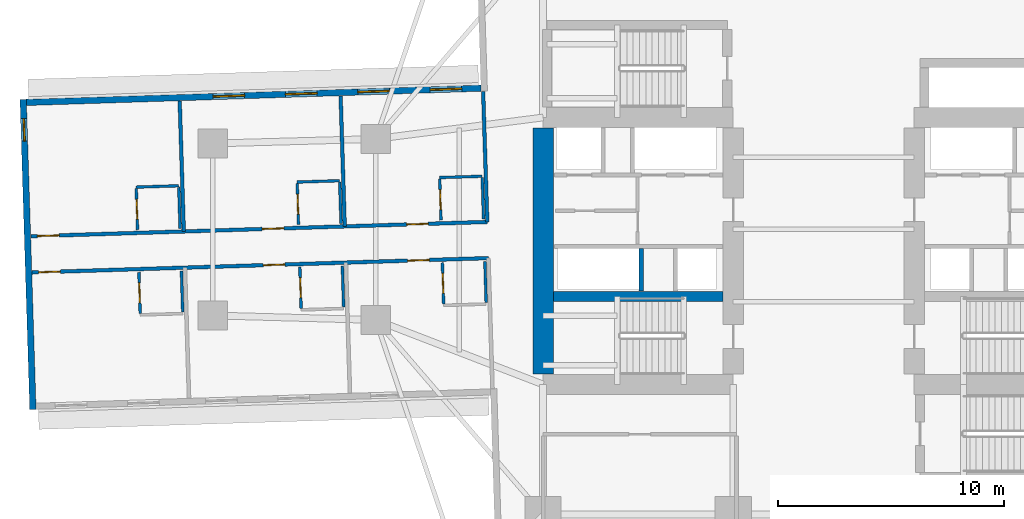
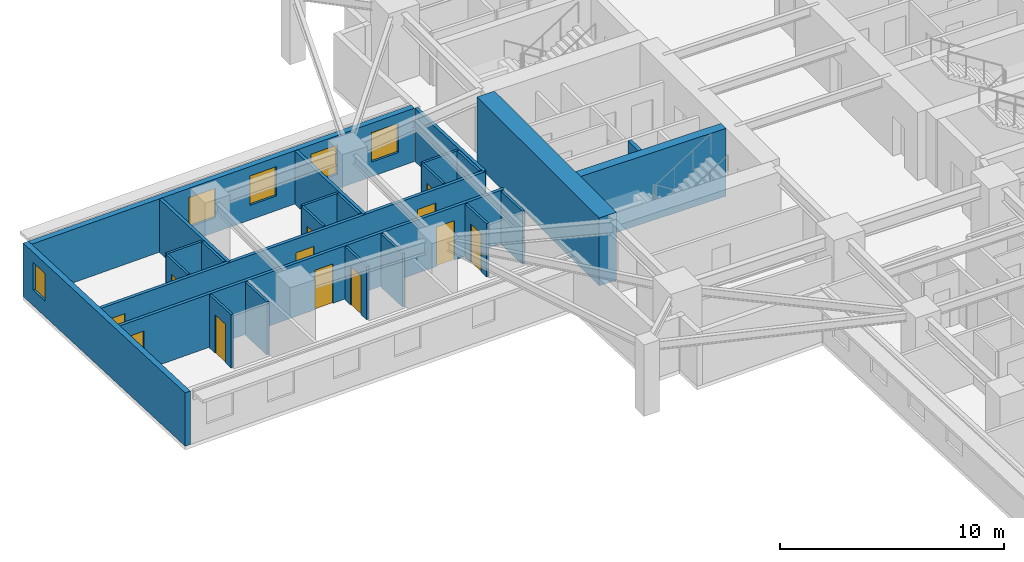
# One storey, part 5 of 15: 25 walls, 12 doors, 5 windows, 17 openings.
"""IFC4 building model written with IfcOpenShell, lengths in metres."""

from ifc_helpers import new_model, si_unit, direction, frame, frame_2d, origin, place, context, subcontext, project, spatial, rectangle, extrude, material, layer, layer_set, type_object, element, fill, save


model = new_model("IFC4")

# Units and contexts
model_context = context("Model", 3, precision=1e-05, world=origin(), true_north=direction((0.0, 1.0)))
body_context = subcontext(model_context, "Body", "Model", "MODEL_VIEW")
ifc_project = project(units=[si_unit("LENGTHUNIT", "METRE"), si_unit("AREAUNIT", "SQUARE_METRE"), si_unit("VOLUMEUNIT", "CUBIC_METRE"), si_unit("PLANEANGLEUNIT", "RADIAN"), si_unit("MASSUNIT", "GRAM", prefix="KILO")], contexts=[model_context])

# Site, building, storey
site_placement = place(None, origin())
site = spatial("IfcSite", under=ifc_project, at=site_placement, CompositionType="ELEMENT")
building_placement = place(site_placement, origin())
building = spatial("IfcBuilding", under=site, at=building_placement, Name="Qingluan Cross Belvedere", CompositionType="ELEMENT")
storey_placement = place(building_placement, frame((0.0, 0.0, 31.5)))
storey = spatial("IfcBuildingStorey", under=building, at=storey_placement, Name="L08", CompositionType="ELEMENT", Elevation=31.5)

# Walls
ifc_material_1 = material(Name="Concrete C50", Category="concrete")
ifc_layer_1 = layer(ifc_material_1, 0.449951171875, Name="CoreShearWall_450")
ifc_layer_set_1 = layer_set([ifc_layer_1], Name="Concrete C50")
wall_type_1 = type_object("IfcWallType", Name="CoreShearWall_450", PredefinedType="SHEAR", material=ifc_layer_set_1)
wall_1_placement = place(storey_placement, frame((-11.945068359375, -2.9599609375, 0.0), z_axis=(0.0, 0.0, 1.0), x_axis=(1.0, 0.0, 0.0)))
element("IfcWall", 1, at=wall_1_placement, inside=storey, type_object=wall_type_1, Name="Split core W shear wall L08-M", PredefinedType="SHEAR", context=body_context, shape_type="SweptSolid", body=[
    extrude(rectangle(XDim=7.489990234375, YDim=0.449951171875, at=frame_2d((3.7451171875, 0.0))), origin(), (0.0, 0.0, 1.0), 3.699951171875),
])
ifc_material_2 = material(Name="Concrete C70", Category="concrete")
ifc_layer_2 = layer(ifc_material_2, 0.89990234375, Name="CoreShearWall_900")
ifc_layer_set_2 = layer_set([ifc_layer_2], Name="Concrete C70")
wall_type_2 = type_object("IfcWallType", Name="CoreShearWall_900", PredefinedType="SHEAR", material=ifc_layer_set_2)
wall_2_placement = place(storey_placement, frame((-12.39990234375, -6.39501953125, 0.0), z_axis=(0.0, 0.0, 1.0), x_axis=(0.0, 1.0, 0.0)))
element("IfcWall", 2, at=wall_2_placement, inside=storey, type_object=wall_type_2, Name="Split core W shear wall L08-W", PredefinedType="SHEAR", context=body_context, shape_type="SweptSolid", body=[
    extrude(rectangle(XDim=10.89013671875, YDim=0.89990234375, at=frame_2d((5.445068359375, 0.0))), origin(), (0.0, 0.0, 1.0), 3.699951171875),
])

# Wall, openings, doors
ifc_material_3 = material(Name="Gypsum plasterboard on steel stud acoustic partition", Category="steel")
ifc_layer_3 = layer(ifc_material_3, 0.159912109375, Name="CorridorPartition_160")
ifc_layer_set_3 = layer_set([ifc_layer_3], Name="Gypsum plasterboard on steel stud acoustic partition")
wall_type_3 = type_object("IfcWallType", Name="CorridorPartition_160", PredefinedType="PARTITIONING", material=ifc_layer_set_3)
wall_3_placement = place(storey_placement, frame((-14.867919921875, 0.333251953125, 0.0), z_axis=(0.0, 0.0, 1.0), x_axis=(-0.99950639469, -0.031416030536, 0.0)))
wall_3 = element("IfcWall", 3, at=wall_3_placement, inside=storey, type_object=wall_type_3, Name="Partition L08:W:c0", PredefinedType="PARTITIONING", context=body_context, shape_type="SweptSolid", body=[
    extrude(rectangle(XDim=20.181884765625, YDim=0.159912109375, at=frame_2d((10.0908203125, 0.0))), origin(), (0.0, 0.0, 1.0), 2.89990234375),
])
opening_1_placement = place(wall_3_placement, frame((2.610107421875, 0.0, 0.0)))
opening_1 = element("IfcOpeningElement", 4, at=opening_1_placement, cuts=wall_3, Name="Opening GD-10", PredefinedType="OPENING", context=body_context, shape_type="SweptSolid", body=[
    extrude(rectangle(XDim=0.9599609375, YDim=2.14990234375, at=frame_2d((0.47998046875, 1.074951171875))), frame((0.0, 0.08984375, 0.0), z_axis=(0.0, -1.0, 0.0), x_axis=(1.0, 0.0, 0.0)), (0.0, 0.0, 1.0), 0.179931640625),
])
opening_2_placement = place(wall_3_placement, frame((8.993896484375, 0.0, 0.0)))
opening_2 = element("IfcOpeningElement", 5, at=opening_2_placement, cuts=wall_3, Name="Opening GD-10", PredefinedType="OPENING", context=body_context, shape_type="SweptSolid", body=[
    extrude(rectangle(XDim=0.9599609375, YDim=2.14990234375, at=frame_2d((0.47998046875, 1.074951171875))), frame((0.0, 0.08984375, 0.0), z_axis=(0.0, -1.0, 0.0), x_axis=(1.0, 0.0, 0.0)), (0.0, 0.0, 1.0), 0.179931640625),
])
opening_3_placement = place(wall_3_placement, frame((18.929931640625, 0.0, 0.0)))
opening_3 = element("IfcOpeningElement", 6, at=opening_3_placement, cuts=wall_3, Name="Opening GD-10", PredefinedType="OPENING", context=body_context, shape_type="SweptSolid", body=[
    extrude(rectangle(XDim=0.9599609375, YDim=2.14990234375, at=frame_2d((0.47998046875, 1.074951171875))), frame((0.0, 0.08984375, 0.0), z_axis=(0.0, -1.0, 0.0), x_axis=(1.0, 0.0, 0.0)), (0.0, 0.0, 1.0), 0.179931640625),
])
ifc_material_4 = material(Name="Timber oak fire-rated acoustic guestroom door", Category="wood")
door_type_1 = type_object("IfcDoorType", Name="GuestEntryDoor_FD60", OperationType="NOTDEFINED", PredefinedType="DOOR", material=ifc_material_4)
door_1_placement = place(opening_1_placement, origin())
door_1 = element("IfcDoor", 7, at=door_1_placement, inside=storey, type_object=door_type_1, Name="Guest entry fire door 0807", OperationType="SINGLE_SWING_LEFT", OverallHeight=2.14990234375, OverallWidth=0.9599609375, PredefinedType="DOOR", context=body_context, shape_type="SweptSolid", body=[
    extrude(rectangle(XDim=0.9599609375, YDim=2.14990234375, at=frame_2d((0.47998046875, 1.074951171875))), frame((0.0, 0.02490234375, 0.0), z_axis=(0.0, -1.0, 0.0), x_axis=(1.0, 0.0, 0.0)), (0.0, 0.0, 1.0), 0.050048828125),
])
fill(opening_1, door_1)
door_2_placement = place(opening_2_placement, origin())
door_2 = element("IfcDoor", 8, at=door_2_placement, inside=storey, type_object=door_type_1, Name="Guest entry fire door 0808", OperationType="SINGLE_SWING_LEFT", OverallHeight=2.14990234375, OverallWidth=0.9599609375, PredefinedType="DOOR", context=body_context, shape_type="SweptSolid", body=[
    extrude(rectangle(XDim=0.9599609375, YDim=2.14990234375, at=frame_2d((0.47998046875, 1.074951171875))), frame((0.0, 0.02490234375, 0.0), z_axis=(0.0, -1.0, 0.0), x_axis=(1.0, 0.0, 0.0)), (0.0, 0.0, 1.0), 0.050048828125),
])
fill(opening_2, door_2)
door_3_placement = place(opening_3_placement, origin())
door_3 = element("IfcDoor", 9, at=door_3_placement, inside=storey, type_object=door_type_1, Name="Guest entry fire door 0809", OperationType="SINGLE_SWING_LEFT", OverallHeight=2.14990234375, OverallWidth=0.9599609375, PredefinedType="DOOR", context=body_context, shape_type="SweptSolid", body=[
    extrude(rectangle(XDim=0.9599609375, YDim=2.14990234375, at=frame_2d((0.47998046875, 1.074951171875))), frame((0.0, 0.02490234375, 0.0), z_axis=(0.0, -1.0, 0.0), x_axis=(1.0, 0.0, 0.0)), (0.0, 0.0, 1.0), 0.050048828125),
])
fill(opening_3, door_3)

# Walls
for number, where, z_axis, x_axis, name in (
    (10, (-14.867919921875, 0.333251953125, 0.0), (0.0, 0.0, 1.0), (-0.031427548972, 0.999506032581, 0.0), "Partition L08:W:s0"),
    (11, (-21.166748046875, 0.13525390625, 0.0), (0.0, 0.0, 1.0), (-0.031385292484, 0.999507360361, 0.0), "Partition L08:W:d0_0"),
):
    element("IfcWall", number, at=place(storey_placement, frame(where, z_axis=z_axis, x_axis=x_axis)), inside=storey, type_object=wall_type_3, Name=name, PredefinedType="PARTITIONING", context=body_context, shape_type="SweptSolid", body=[
        extrude(rectangle(XDim=5.77197265625, YDim=0.159912109375, at=frame_2d((2.885986328125, 0.0))), origin(), (0.0, 0.0, 1.0), 2.89990234375),
    ])
wall_4_placement = place(storey_placement, frame((-28.279296875, -0.08837890625, 0.0), z_axis=(0.0, 0.0, 1.0), x_axis=(-0.031383965651, 0.999507402024, 0.0)))
element("IfcWall", 12, at=wall_4_placement, inside=storey, type_object=wall_type_3, Name="Partition L08:W:d0_1", PredefinedType="PARTITIONING", context=body_context, shape_type="SweptSolid", body=[
    extrude(rectangle(XDim=5.772216796875, YDim=0.159912109375, at=frame_2d((2.88623046875, 0.0))), origin(), (0.0, 0.0, 1.0), 2.89990234375),
])

# Wall, openings, doors
wall_5_placement = place(storey_placement, frame((-14.8173828125, -1.26611328125, 0.0), z_axis=(0.0, 0.0, 1.0), x_axis=(-0.9995067864, -0.031403565719, 0.0)))
wall_5 = element("IfcWall", 13, at=wall_5_placement, inside=storey, type_object=wall_type_3, Name="Partition L08:W:c1", PredefinedType="PARTITIONING", context=body_context, shape_type="SweptSolid", body=[
    extrude(rectangle(XDim=20.18212890625, YDim=0.159912109375, at=frame_2d((10.091064453125, 0.0))), origin(), (0.0, 0.0, 1.0), 2.89990234375),
])
opening_4_placement = place(wall_5_placement, frame((2.610107421875, 0.0, 0.0)))
opening_4 = element("IfcOpeningElement", 14, at=opening_4_placement, cuts=wall_5, Name="Opening GD-10", PredefinedType="OPENING", context=body_context, shape_type="SweptSolid", body=[
    extrude(rectangle(XDim=0.9599609375, YDim=2.14990234375, at=frame_2d((0.47998046875, 1.074951171875))), frame((0.0, 0.08984375, 0.0), z_axis=(0.0, -1.0, 0.0), x_axis=(1.0, 0.0, 0.0)), (0.0, 0.0, 1.0), 0.179931640625),
])
opening_5_placement = place(wall_5_placement, frame((8.993896484375, 0.0, 0.0)))
opening_5 = element("IfcOpeningElement", 15, at=opening_5_placement, cuts=wall_5, Name="Opening GD-10", PredefinedType="OPENING", context=body_context, shape_type="SweptSolid", body=[
    extrude(rectangle(XDim=0.9599609375, YDim=2.14990234375, at=frame_2d((0.47998046875, 1.074951171875))), frame((0.0, 0.08984375, 0.0), z_axis=(0.0, -1.0, 0.0), x_axis=(1.0, 0.0, 0.0)), (0.0, 0.0, 1.0), 0.179931640625),
])
opening_6_placement = place(wall_5_placement, frame((18.929931640625, 0.0, 0.0)))
opening_6 = element("IfcOpeningElement", 16, at=opening_6_placement, cuts=wall_5, Name="Opening GD-10", PredefinedType="OPENING", context=body_context, shape_type="SweptSolid", body=[
    extrude(rectangle(XDim=0.9599609375, YDim=2.14990234375, at=frame_2d((0.47998046875, 1.074951171875))), frame((0.0, 0.08984375, 0.0), z_axis=(0.0, -1.0, 0.0), x_axis=(1.0, 0.0, 0.0)), (0.0, 0.0, 1.0), 0.179931640625),
])
door_4_placement = place(opening_4_placement, origin())
door_4 = element("IfcDoor", 17, at=door_4_placement, inside=storey, type_object=door_type_1, Name="Guest entry fire door 0810", OperationType="SINGLE_SWING_LEFT", OverallHeight=2.14990234375, OverallWidth=0.9599609375, PredefinedType="DOOR", context=body_context, shape_type="SweptSolid", body=[
    extrude(rectangle(XDim=0.9599609375, YDim=2.14990234375, at=frame_2d((0.47998046875, 1.074951171875))), frame((0.0, 0.02490234375, 0.0), z_axis=(0.0, -1.0, 0.0), x_axis=(1.0, 0.0, 0.0)), (0.0, 0.0, 1.0), 0.050048828125),
])
fill(opening_4, door_4)
door_5_placement = place(opening_5_placement, origin())
door_5 = element("IfcDoor", 18, at=door_5_placement, inside=storey, type_object=door_type_1, Name="Guest entry fire door 0811", OperationType="SINGLE_SWING_LEFT", OverallHeight=2.14990234375, OverallWidth=0.9599609375, PredefinedType="DOOR", context=body_context, shape_type="SweptSolid", body=[
    extrude(rectangle(XDim=0.9599609375, YDim=2.14990234375, at=frame_2d((0.47998046875, 1.074951171875))), frame((0.0, 0.02490234375, 0.0), z_axis=(0.0, -1.0, 0.0), x_axis=(1.0, 0.0, 0.0)), (0.0, 0.0, 1.0), 0.050048828125),
])
fill(opening_5, door_5)
door_6_placement = place(opening_6_placement, origin())
door_6 = element("IfcDoor", 19, at=door_6_placement, inside=storey, type_object=door_type_1, Name="Guest entry fire door 0812", OperationType="SINGLE_SWING_LEFT", OverallHeight=2.14990234375, OverallWidth=0.9599609375, PredefinedType="DOOR", context=body_context, shape_type="SweptSolid", body=[
    extrude(rectangle(XDim=0.9599609375, YDim=2.14990234375, at=frame_2d((0.47998046875, 1.074951171875))), frame((0.0, 0.02490234375, 0.0), z_axis=(0.0, -1.0, 0.0), x_axis=(1.0, 0.0, 0.0)), (0.0, 0.0, 1.0), 0.050048828125),
])
fill(opening_6, door_6)

# Wall, opening, door
ifc_material_5 = material(Name="Moisture-resistant gypsum board lining")
ifc_layer_4 = layer(ifc_material_5, 0.1201171875, Name="EnsuiteWetPartition_120")
ifc_layer_set_4 = layer_set([ifc_layer_4], Name="Moisture-resistant gypsum board lining")
wall_type_4 = type_object("IfcWallType", Name="EnsuiteWetPartition_120", PredefinedType="PARTITIONING", material=ifc_layer_set_4)
wall_6_placement = place(storey_placement, frame((-16.9111328125, 0.408935546875, 0.0), z_axis=(0.0, 0.0, 1.0), x_axis=(-0.03152371574, 0.999503004171, 0.0)))
wall_6 = element("IfcWall", 20, at=wall_6_placement, inside=storey, type_object=wall_type_4, Name="Partition L08:W:bs0_0", PredefinedType="PARTITIONING", context=body_context, shape_type="SweptSolid", body=[
    extrude(rectangle(XDim=1.820068359375, YDim=0.1201171875, at=frame_2d((0.91015625, 0.0))), origin(), (0.0, 0.0, 1.0), 2.89990234375),
])
opening_7_placement = place(wall_6_placement, frame((0.469970703125, 0.0, 0.0)))
opening_7 = element("IfcOpeningElement", 21, at=opening_7_placement, cuts=wall_6, Name="Opening BD-09", PredefinedType="OPENING", context=body_context, shape_type="SweptSolid", body=[
    extrude(rectangle(XDim=0.8798828125, YDim=2.10009765625, at=frame_2d((0.43994140625, 1.050048828125))), frame((0.0, 0.070068359375, 0.0), z_axis=(0.0, -1.0, 0.0), x_axis=(1.0, 0.0, 0.0)), (0.0, 0.0, 1.0), 0.14013671875),
])
ifc_material_6 = material(Name="Moisture-sealed timber en-suite door", Category="wood")
door_type_2 = type_object("IfcDoorType", Name="BathroomDoor_880", OperationType="NOTDEFINED", PredefinedType="DOOR", material=ifc_material_6)
door_7_placement = place(opening_7_placement, origin())
door_7 = element("IfcDoor", 22, at=door_7_placement, inside=storey, type_object=door_type_2, Name="Bathroom door 0807", OperationType="SINGLE_SWING_RIGHT", OverallHeight=2.10009765625, OverallWidth=0.8798828125, PredefinedType="DOOR", context=body_context, shape_type="SweptSolid", body=[
    extrude(rectangle(XDim=0.8798828125, YDim=2.10009765625, at=frame_2d((0.43994140625, 1.050048828125))), frame((0.0, 0.02490234375, 0.0), z_axis=(0.0, -1.0, 0.0), x_axis=(1.0, 0.0, 0.0)), (0.0, 0.0, 1.0), 0.050048828125),
])
fill(opening_7, door_7)

# Walls
wall_7_placement = place(storey_placement, frame((-15.031982421875, 0.468017578125, 0.0), z_axis=(0.0, 0.0, 1.0), x_axis=(-0.03152371574, 0.999503004171, 0.0)))
element("IfcWall", 23, at=wall_7_placement, inside=storey, type_object=wall_type_4, Name="Partition L08:W:bw0_0", PredefinedType="PARTITIONING", context=body_context, shape_type="SweptSolid", body=[
    extrude(rectangle(XDim=1.820068359375, YDim=0.1201171875, at=frame_2d((0.91015625, 0.0))), origin(), (0.0, 0.0, 1.0), 2.89990234375),
])
wall_8_placement = place(storey_placement, frame((-15.09130859375, 2.35205078125, 0.0), z_axis=(0.0, 0.0, 1.0), x_axis=(-0.999510173889, -0.031295563454, 0.0)))
element("IfcWall", 24, at=wall_8_placement, inside=storey, type_object=wall_type_4, Name="Partition L08:W:bn0_0", PredefinedType="PARTITIONING", context=body_context, shape_type="SweptSolid", body=[
    extrude(rectangle(XDim=1.880126953125, YDim=0.1201171875, at=frame_2d((0.93994140625, 0.0))), origin(), (0.0, 0.0, 1.0), 2.89990234375),
])

# Wall, opening, door
wall_9_placement = place(storey_placement, frame((-23.210205078125, 0.211181640625, 0.0), z_axis=(0.0, 0.0, 1.0), x_axis=(-0.031255692016, 0.999511421504, 0.0)))
wall_9 = element("IfcWall", 25, at=wall_9_placement, inside=storey, type_object=wall_type_4, Name="Partition L08:W:bs0_1", PredefinedType="PARTITIONING", context=body_context, shape_type="SweptSolid", body=[
    extrude(rectangle(XDim=1.820068359375, YDim=0.1201171875, at=frame_2d((0.91015625, 0.0))), origin(), (0.0, 0.0, 1.0), 2.89990234375),
])
opening_8_placement = place(wall_9_placement, frame((0.469970703125, 0.0, 0.0)))
opening_8 = element("IfcOpeningElement", 26, at=opening_8_placement, cuts=wall_9, Name="Opening BD-09", PredefinedType="OPENING", context=body_context, shape_type="SweptSolid", body=[
    extrude(rectangle(XDim=0.8798828125, YDim=2.10009765625, at=frame_2d((0.43994140625, 1.050048828125))), frame((0.0, 0.070068359375, 0.0), z_axis=(0.0, -1.0, 0.0), x_axis=(1.0, 0.0, 0.0)), (0.0, 0.0, 1.0), 0.14013671875),
])
door_8_placement = place(opening_8_placement, origin())
door_8 = element("IfcDoor", 27, at=door_8_placement, inside=storey, type_object=door_type_2, Name="Bathroom door 0808", OperationType="SINGLE_SWING_RIGHT", OverallHeight=2.10009765625, OverallWidth=0.8798828125, PredefinedType="DOOR", context=body_context, shape_type="SweptSolid", body=[
    extrude(rectangle(XDim=0.8798828125, YDim=2.10009765625, at=frame_2d((0.43994140625, 1.050048828125))), frame((0.0, 0.02490234375, 0.0), z_axis=(0.0, -1.0, 0.0), x_axis=(1.0, 0.0, 0.0)), (0.0, 0.0, 1.0), 0.050048828125),
])
fill(opening_8, door_8)

# Walls
wall_10_placement = place(storey_placement, frame((-21.3310546875, 0.27001953125, 0.0), z_axis=(0.0, 0.0, 1.0), x_axis=(-0.031389704724, 0.999507221803, 0.0)))
element("IfcWall", 28, at=wall_10_placement, inside=storey, type_object=wall_type_4, Name="Partition L08:W:bw0_1", PredefinedType="PARTITIONING", context=body_context, shape_type="SweptSolid", body=[
    extrude(rectangle(XDim=1.820068359375, YDim=0.1201171875, at=frame_2d((0.91015625, 0.0))), origin(), (0.0, 0.0, 1.0), 2.89990234375),
])
wall_11_placement = place(storey_placement, frame((-21.39013671875, 2.154296875, 0.0), z_axis=(0.0, 0.0, 1.0), x_axis=(-0.999506103526, -0.031425292588, 0.0)))
element("IfcWall", 29, at=wall_11_placement, inside=storey, type_object=wall_type_4, Name="Partition L08:W:bn0_1", PredefinedType="PARTITIONING", context=body_context, shape_type="SweptSolid", body=[
    extrude(rectangle(XDim=1.880126953125, YDim=0.1201171875, at=frame_2d((0.93994140625, 0.0))), origin(), (0.0, 0.0, 1.0), 2.89990234375),
])

# Wall, opening, door
wall_12_placement = place(storey_placement, frame((-30.322509765625, -0.012451171875, 0.0), z_axis=(0.0, 0.0, 1.0), x_axis=(-0.031389704724, 0.999507221803, 0.0)))
wall_12 = element("IfcWall", 30, at=wall_12_placement, inside=storey, type_object=wall_type_4, Name="Partition L08:W:bs0_2", PredefinedType="PARTITIONING", context=body_context, shape_type="SweptSolid", body=[
    extrude(rectangle(XDim=1.820068359375, YDim=0.1201171875, at=frame_2d((0.91015625, 0.0))), origin(), (0.0, 0.0, 1.0), 2.89990234375),
])
opening_9_placement = place(wall_12_placement, frame((0.469970703125, 0.0, 0.0)))
opening_9 = element("IfcOpeningElement", 31, at=opening_9_placement, cuts=wall_12, Name="Opening BD-09", PredefinedType="OPENING", context=body_context, shape_type="SweptSolid", body=[
    extrude(rectangle(XDim=0.8798828125, YDim=2.10009765625, at=frame_2d((0.43994140625, 1.050048828125))), frame((0.0, 0.070068359375, 0.0), z_axis=(0.0, -1.0, 0.0), x_axis=(1.0, 0.0, 0.0)), (0.0, 0.0, 1.0), 0.14013671875),
])
door_9_placement = place(opening_9_placement, origin())
door_9 = element("IfcDoor", 32, at=door_9_placement, inside=storey, type_object=door_type_2, Name="Bathroom door 0809", OperationType="SINGLE_SWING_RIGHT", OverallHeight=2.10009765625, OverallWidth=0.8798828125, PredefinedType="DOOR", context=body_context, shape_type="SweptSolid", body=[
    extrude(rectangle(XDim=0.8798828125, YDim=2.10009765625, at=frame_2d((0.43994140625, 1.050048828125))), frame((0.0, 0.02490234375, 0.0), z_axis=(0.0, -1.0, 0.0), x_axis=(1.0, 0.0, 0.0)), (0.0, 0.0, 1.0), 0.050048828125),
])
fill(opening_9, door_9)

# Walls
wall_13_placement = place(storey_placement, frame((-28.443603515625, 0.046630859375, 0.0), z_axis=(0.0, 0.0, 1.0), x_axis=(-0.031389704724, 0.999507221803, 0.0)))
element("IfcWall", 33, at=wall_13_placement, inside=storey, type_object=wall_type_4, Name="Partition L08:W:bw0_2", PredefinedType="PARTITIONING", context=body_context, shape_type="SweptSolid", body=[
    extrude(rectangle(XDim=1.820068359375, YDim=0.1201171875, at=frame_2d((0.91015625, 0.0))), origin(), (0.0, 0.0, 1.0), 2.89990234375),
])
wall_14_placement = place(storey_placement, frame((-28.502685546875, 1.9306640625, 0.0), z_axis=(0.0, 0.0, 1.0), x_axis=(-0.999506103526, -0.031425292588, 0.0)))
element("IfcWall", 34, at=wall_14_placement, inside=storey, type_object=wall_type_4, Name="Partition L08:W:bn0_2", PredefinedType="PARTITIONING", context=body_context, shape_type="SweptSolid", body=[
    extrude(rectangle(XDim=1.880126953125, YDim=0.1201171875, at=frame_2d((0.93994140625, 0.0))), origin(), (0.0, 0.0, 1.0), 2.89990234375),
])

# Wall, opening, door
wall_15_placement = place(storey_placement, frame((-16.794921875, -3.289306640625, 0.0), z_axis=(0.0, 0.0, 1.0), x_axis=(-0.031389704724, 0.999507221803, 0.0)))
wall_15 = element("IfcWall", 35, at=wall_15_placement, inside=storey, type_object=wall_type_4, Name="Partition L08:W:bs1_0", PredefinedType="PARTITIONING", context=body_context, shape_type="SweptSolid", body=[
    extrude(rectangle(XDim=1.820068359375, YDim=0.1201171875, at=frame_2d((0.91015625, 0.0))), origin(), (0.0, 0.0, 1.0), 2.89990234375),
])
opening_10_placement = place(wall_15_placement, frame((0.469970703125, 0.0, 0.0)))
opening_10 = element("IfcOpeningElement", 36, at=opening_10_placement, cuts=wall_15, Name="Opening BD-09", PredefinedType="OPENING", context=body_context, shape_type="SweptSolid", body=[
    extrude(rectangle(XDim=0.8798828125, YDim=2.10009765625, at=frame_2d((0.43994140625, 1.050048828125))), frame((0.0, 0.070068359375, 0.0), z_axis=(0.0, -1.0, 0.0), x_axis=(1.0, 0.0, 0.0)), (0.0, 0.0, 1.0), 0.14013671875),
])
door_10_placement = place(opening_10_placement, origin())
door_10 = element("IfcDoor", 37, at=door_10_placement, inside=storey, type_object=door_type_2, Name="Bathroom door 0810", OperationType="SINGLE_SWING_RIGHT", OverallHeight=2.10009765625, OverallWidth=0.8798828125, PredefinedType="DOOR", context=body_context, shape_type="SweptSolid", body=[
    extrude(rectangle(XDim=0.8798828125, YDim=2.10009765625, at=frame_2d((0.43994140625, 1.050048828125))), frame((0.0, 0.02490234375, 0.0), z_axis=(0.0, -1.0, 0.0), x_axis=(1.0, 0.0, 0.0)), (0.0, 0.0, 1.0), 0.050048828125),
])
fill(opening_10, door_10)

# Wall
wall_16_placement = place(storey_placement, frame((-14.916015625, -3.22998046875, 0.0), z_axis=(0.0, 0.0, 1.0), x_axis=(-0.031389704724, 0.999507221803, 0.0)))
element("IfcWall", 38, at=wall_16_placement, inside=storey, type_object=wall_type_4, Name="Partition L08:W:bw1_0", PredefinedType="PARTITIONING", context=body_context, shape_type="SweptSolid", body=[
    extrude(rectangle(XDim=1.820068359375, YDim=0.1201171875, at=frame_2d((0.91015625, 0.0))), origin(), (0.0, 0.0, 1.0), 2.89990234375),
])

# Wall, opening, door
wall_17_placement = place(storey_placement, frame((-23.093994140625, -3.487060546875, 0.0), z_axis=(0.0, 0.0, 1.0), x_axis=(-0.031255692016, 0.999511421504, 0.0)))
wall_17 = element("IfcWall", 39, at=wall_17_placement, inside=storey, type_object=wall_type_4, Name="Partition L08:W:bs1_1", PredefinedType="PARTITIONING", context=body_context, shape_type="SweptSolid", body=[
    extrude(rectangle(XDim=1.820068359375, YDim=0.1201171875, at=frame_2d((0.91015625, 0.0))), origin(), (0.0, 0.0, 1.0), 2.89990234375),
])
opening_11_placement = place(wall_17_placement, frame((0.469970703125, 0.0, 0.0)))
opening_11 = element("IfcOpeningElement", 40, at=opening_11_placement, cuts=wall_17, Name="Opening BD-09", PredefinedType="OPENING", context=body_context, shape_type="SweptSolid", body=[
    extrude(rectangle(XDim=0.8798828125, YDim=2.10009765625, at=frame_2d((0.43994140625, 1.050048828125))), frame((0.0, 0.070068359375, 0.0), z_axis=(0.0, -1.0, 0.0), x_axis=(1.0, 0.0, 0.0)), (0.0, 0.0, 1.0), 0.14013671875),
])
door_11_placement = place(opening_11_placement, origin())
door_11 = element("IfcDoor", 41, at=door_11_placement, inside=storey, type_object=door_type_2, Name="Bathroom door 0811", OperationType="SINGLE_SWING_RIGHT", OverallHeight=2.10009765625, OverallWidth=0.8798828125, PredefinedType="DOOR", context=body_context, shape_type="SweptSolid", body=[
    extrude(rectangle(XDim=0.8798828125, YDim=2.10009765625, at=frame_2d((0.43994140625, 1.050048828125))), frame((0.0, 0.02490234375, 0.0), z_axis=(0.0, -1.0, 0.0), x_axis=(1.0, 0.0, 0.0)), (0.0, 0.0, 1.0), 0.050048828125),
])
fill(opening_11, door_11)

# Wall
wall_18_placement = place(storey_placement, frame((-21.21484375, -3.427978515625, 0.0), z_axis=(0.0, 0.0, 1.0), x_axis=(-0.031389704724, 0.999507221803, 0.0)))
element("IfcWall", 42, at=wall_18_placement, inside=storey, type_object=wall_type_4, Name="Partition L08:W:bw1_1", PredefinedType="PARTITIONING", context=body_context, shape_type="SweptSolid", body=[
    extrude(rectangle(XDim=1.820068359375, YDim=0.1201171875, at=frame_2d((0.91015625, 0.0))), origin(), (0.0, 0.0, 1.0), 2.89990234375),
])

# Wall, opening, door
wall_19_placement = place(storey_placement, frame((-30.206298828125, -3.710693359375, 0.0), z_axis=(0.0, 0.0, 1.0), x_axis=(-0.031389704724, 0.999507221803, 0.0)))
wall_19 = element("IfcWall", 43, at=wall_19_placement, inside=storey, type_object=wall_type_4, Name="Partition L08:W:bs1_2", PredefinedType="PARTITIONING", context=body_context, shape_type="SweptSolid", body=[
    extrude(rectangle(XDim=1.820068359375, YDim=0.1201171875, at=frame_2d((0.91015625, 0.0))), origin(), (0.0, 0.0, 1.0), 2.89990234375),
])
opening_12_placement = place(wall_19_placement, frame((0.469970703125, 0.0, 0.0)))
opening_12 = element("IfcOpeningElement", 44, at=opening_12_placement, cuts=wall_19, Name="Opening BD-09", PredefinedType="OPENING", context=body_context, shape_type="SweptSolid", body=[
    extrude(rectangle(XDim=0.8798828125, YDim=2.10009765625, at=frame_2d((0.43994140625, 1.050048828125))), frame((0.0, 0.070068359375, 0.0), z_axis=(0.0, -1.0, 0.0), x_axis=(1.0, 0.0, 0.0)), (0.0, 0.0, 1.0), 0.14013671875),
])
door_12_placement = place(opening_12_placement, origin())
door_12 = element("IfcDoor", 45, at=door_12_placement, inside=storey, type_object=door_type_2, Name="Bathroom door 0812", OperationType="SINGLE_SWING_RIGHT", OverallHeight=2.10009765625, OverallWidth=0.8798828125, PredefinedType="DOOR", context=body_context, shape_type="SweptSolid", body=[
    extrude(rectangle(XDim=0.8798828125, YDim=2.10009765625, at=frame_2d((0.43994140625, 1.050048828125))), frame((0.0, 0.02490234375, 0.0), z_axis=(0.0, -1.0, 0.0), x_axis=(1.0, 0.0, 0.0)), (0.0, 0.0, 1.0), 0.050048828125),
])
fill(opening_12, door_12)

# Wall
wall_20_placement = place(storey_placement, frame((-28.327392578125, -3.651611328125, 0.0), z_axis=(0.0, 0.0, 1.0), x_axis=(-0.031389704724, 0.999507221803, 0.0)))
element("IfcWall", 46, at=wall_20_placement, inside=storey, type_object=wall_type_4, Name="Partition L08:W:bw1_2", PredefinedType="PARTITIONING", context=body_context, shape_type="SweptSolid", body=[
    extrude(rectangle(XDim=1.820068359375, YDim=0.1201171875, at=frame_2d((0.91015625, 0.0))), origin(), (0.0, 0.0, 1.0), 2.89990234375),
])

# Wall, openings, windows
ifc_material_7 = material(Name="Precast concrete C45", Category="concrete")
ifc_layer_5 = layer(ifc_material_7, 0.280029296875, Name="PrecastFacadeWall_280")
ifc_layer_set_5 = layer_set([ifc_layer_5], Name="Precast concrete C45")
wall_type_5 = type_object("IfcWallType", Name="PrecastFacadeWall_280", PredefinedType="STANDARD", material=ifc_layer_set_5)
wall_21_placement = place(storey_placement, frame((-15.143798828125, 6.247314453125, 0.0), z_axis=(0.0, 0.0, 1.0), x_axis=(-0.999506955354, -0.031398187845, 0.0)))
wall_21 = element("IfcWall", 47, at=wall_21_placement, inside=storey, type_object=wall_type_5, Name="Facade wall L08-WA", PredefinedType="STANDARD", context=body_context, shape_type="SweptSolid", body=[
    extrude(rectangle(XDim=20.10009765625, YDim=0.280029296875, at=frame_2d((10.050048828125, 0.0))), origin(), (0.0, 0.0, 1.0), 2.909912109375),
])
opening_13_placement = place(wall_21_placement, frame((0.85009765625, 0.0, 0.800048828125)))
opening_13 = element("IfcOpeningElement", 48, at=opening_13_placement, cuts=wall_21, Name="Opening W-01", PredefinedType="OPENING", context=body_context, shape_type="SweptSolid", body=[
    extrude(rectangle(XDim=1.39990234375, YDim=1.60009765625, at=frame_2d((0.699951171875, 0.800048828125))), frame((0.0, 0.14990234375, 0.0), z_axis=(0.0, -1.0, 0.0), x_axis=(1.0, 0.0, 0.0)), (0.0, 0.0, 1.0), 0.300048828125),
])
opening_14_placement = place(wall_21_placement, frame((4.050048828125, 0.0, 0.800048828125)))
opening_14 = element("IfcOpeningElement", 49, at=opening_14_placement, cuts=wall_21, Name="Opening W-01", PredefinedType="OPENING", context=body_context, shape_type="SweptSolid", body=[
    extrude(rectangle(XDim=1.39990234375, YDim=1.60009765625, at=frame_2d((0.699951171875, 0.800048828125))), frame((0.0, 0.14990234375, 0.0), z_axis=(0.0, -1.0, 0.0), x_axis=(1.0, 0.0, 0.0)), (0.0, 0.0, 1.0), 0.300048828125),
])
opening_15_placement = place(wall_21_placement, frame((7.25, 0.0, 0.800048828125)))
opening_15 = element("IfcOpeningElement", 50, at=opening_15_placement, cuts=wall_21, Name="Opening W-01", PredefinedType="OPENING", context=body_context, shape_type="SweptSolid", body=[
    extrude(rectangle(XDim=1.39990234375, YDim=1.60009765625, at=frame_2d((0.699951171875, 0.800048828125))), frame((0.0, 0.14990234375, 0.0), z_axis=(0.0, -1.0, 0.0), x_axis=(1.0, 0.0, 0.0)), (0.0, 0.0, 1.0), 0.300048828125),
])
opening_16_placement = place(wall_21_placement, frame((10.449951171875, 0.0, 0.800048828125)))
opening_16 = element("IfcOpeningElement", 51, at=opening_16_placement, cuts=wall_21, Name="Opening W-01", PredefinedType="OPENING", context=body_context, shape_type="SweptSolid", body=[
    extrude(rectangle(XDim=1.39990234375, YDim=1.60009765625, at=frame_2d((0.699951171875, 0.800048828125))), frame((0.0, 0.14990234375, 0.0), z_axis=(0.0, -1.0, 0.0), x_axis=(1.0, 0.0, 0.0)), (0.0, 0.0, 1.0), 0.300048828125),
])
ifc_material_8 = material(Name="Thermally broken triple Low-E glass in aluminium frame", Category="aluminium")
window_type_1 = type_object("IfcWindowType", Name="TriRibbonWin_1400x1600", PartitioningType="SINGLE_PANEL", PredefinedType="WINDOW", material=ifc_material_8)
window_1_placement = place(opening_13_placement, origin())
window_1 = element("IfcWindow", 52, at=window_1_placement, inside=storey, type_object=window_type_1, Name="Ribbon window L08-WA-1", OverallHeight=1.60009765625, OverallWidth=1.39990234375, PartitioningType="SINGLE_PANEL", PredefinedType="WINDOW", context=body_context, shape_type="SweptSolid", body=[
    extrude(rectangle(XDim=1.39990234375, YDim=1.60009765625, at=frame_2d((0.699951171875, 0.800048828125))), frame((0.0, 0.030029296875, 0.0), z_axis=(0.0, -1.0, 0.0), x_axis=(1.0, 0.0, 0.0)), (0.0, 0.0, 1.0), 0.06005859375),
])
fill(opening_13, window_1)
window_2_placement = place(opening_14_placement, origin())
window_2 = element("IfcWindow", 53, at=window_2_placement, inside=storey, type_object=window_type_1, Name="Ribbon window L08-WA-2", OverallHeight=1.60009765625, OverallWidth=1.39990234375, PartitioningType="SINGLE_PANEL", PredefinedType="WINDOW", context=body_context, shape_type="SweptSolid", body=[
    extrude(rectangle(XDim=1.39990234375, YDim=1.60009765625, at=frame_2d((0.699951171875, 0.800048828125))), frame((0.0, 0.030029296875, 0.0), z_axis=(0.0, -1.0, 0.0), x_axis=(1.0, 0.0, 0.0)), (0.0, 0.0, 1.0), 0.06005859375),
])
fill(opening_14, window_2)
window_3_placement = place(opening_15_placement, origin())
window_3 = element("IfcWindow", 54, at=window_3_placement, inside=storey, type_object=window_type_1, Name="Ribbon window L08-WA-3", OverallHeight=1.60009765625, OverallWidth=1.39990234375, PartitioningType="SINGLE_PANEL", PredefinedType="WINDOW", context=body_context, shape_type="SweptSolid", body=[
    extrude(rectangle(XDim=1.39990234375, YDim=1.60009765625, at=frame_2d((0.699951171875, 0.800048828125))), frame((0.0, 0.030029296875, 0.0), z_axis=(0.0, -1.0, 0.0), x_axis=(1.0, 0.0, 0.0)), (0.0, 0.0, 1.0), 0.06005859375),
])
fill(opening_15, window_3)
window_4_placement = place(opening_16_placement, origin())
window_4 = element("IfcWindow", 55, at=window_4_placement, inside=storey, type_object=window_type_1, Name="Ribbon window L08-WA-4", OverallHeight=1.60009765625, OverallWidth=1.39990234375, PartitioningType="SINGLE_PANEL", PredefinedType="WINDOW", context=body_context, shape_type="SweptSolid", body=[
    extrude(rectangle(XDim=1.39990234375, YDim=1.60009765625, at=frame_2d((0.699951171875, 0.800048828125))), frame((0.0, 0.030029296875, 0.0), z_axis=(0.0, -1.0, 0.0), x_axis=(1.0, 0.0, 0.0)), (0.0, 0.0, 1.0), 0.06005859375),
])
fill(opening_16, window_4)

# Wall, opening, window
wall_22_placement = place(storey_placement, frame((-35.378173828125, 5.751708984375, 0.0), z_axis=(0.0, 0.0, 1.0), x_axis=(0.031406966164, -0.999506679556, 0.0)))
wall_22 = element("IfcWall", 56, at=wall_22_placement, inside=storey, type_object=wall_type_5, Name="Arm tip precast facade wall L08-W", PredefinedType="STANDARD", context=body_context, shape_type="SweptSolid", body=[
    extrude(rectangle(XDim=13.72021484375, YDim=0.280029296875, at=frame_2d((6.860107421875, 0.0))), origin(), (0.0, 0.0, 1.0), 2.909912109375),
])
opening_17_placement = place(wall_22_placement, frame((0.85009765625, 0.0, 0.85009765625)))
opening_17 = element("IfcOpeningElement", 57, at=opening_17_placement, cuts=wall_22, Name="Opening W-03", PredefinedType="OPENING", context=body_context, shape_type="SweptSolid", body=[
    extrude(rectangle(XDim=1.0, YDim=1.5, at=frame_2d((0.5, 0.75))), frame((0.0, 0.14990234375, 0.0), z_axis=(0.0, -1.0, 0.0), x_axis=(1.0, 0.0, 0.0)), (0.0, 0.0, 1.0), 0.300048828125),
])
ifc_material_9 = material(Name="Thermally broken triple Low-E glass in aluminium frame", Category="aluminium")
window_type_2 = type_object("IfcWindowType", Name="TriApexWin_1000x1500", PartitioningType="SINGLE_PANEL", PredefinedType="WINDOW", material=ifc_material_9)
window_5_placement = place(opening_17_placement, origin())
window_5 = element("IfcWindow", 58, at=window_5_placement, inside=storey, type_object=window_type_2, Name="Arm tip triangular window L08-W", OverallHeight=1.5, OverallWidth=1.0, PartitioningType="SINGLE_PANEL", PredefinedType="WINDOW", context=body_context, shape_type="SweptSolid", body=[
    extrude(rectangle(XDim=1.0, YDim=1.5, at=frame_2d((0.5, 0.75))), frame((0.0, 0.030029296875, 0.0), z_axis=(0.0, -1.0, 0.0), x_axis=(1.0, 0.0, 0.0)), (0.0, 0.0, 1.0), 0.06005859375),
])
fill(opening_17, window_5)

# Wall
ifc_material_10 = material(Name="Concrete C40", Category="concrete")
ifc_layer_6 = layer(ifc_material_10, 0.219970703125, Name="ShaftEnclosureWall_250")
ifc_layer_set_6 = layer_set([ifc_layer_6], Name="Concrete C40")
wall_type_6 = type_object("IfcWallType", Name="ShaftEnclosureWall_250", PredefinedType="SOLIDWALL", material=ifc_layer_set_6)
wall_23_placement = place(storey_placement, frame((-8.06005859375, -2.72998046875, 0.0), z_axis=(0.0, 0.0, 1.0), x_axis=(0.0, 1.0, 0.0)))
element("IfcWall", 59, at=wall_23_placement, inside=storey, type_object=wall_type_6, Name="Hoistway enclosure divider LP6E L08", PredefinedType="SOLIDWALL", context=body_context, shape_type="SweptSolid", body=[
    extrude(rectangle(XDim=1.889892578125, YDim=0.179931640625, at=frame_2d((0.94482421875, 0.0))), origin(), (0.0, 0.0, 1.0), 2.89990234375),
])

save(model, "model.ifc")
